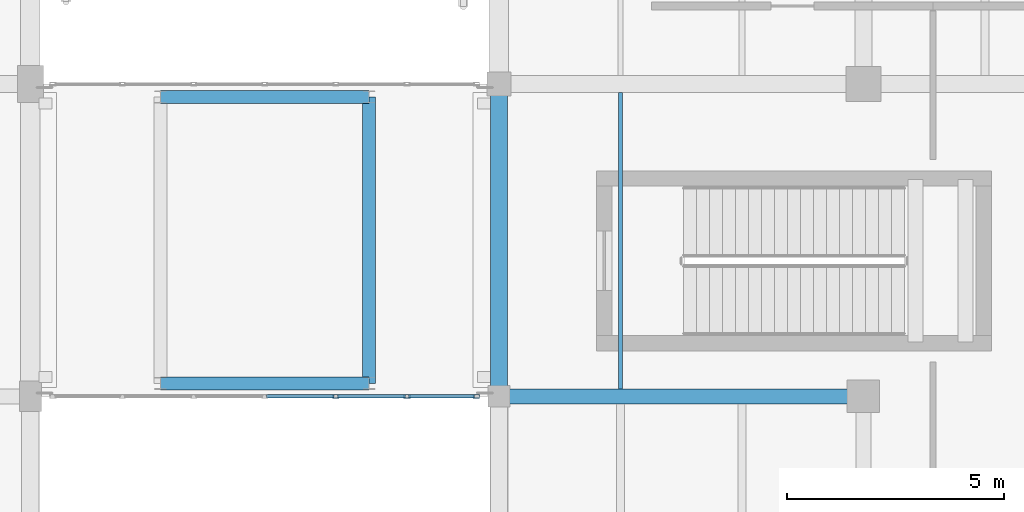
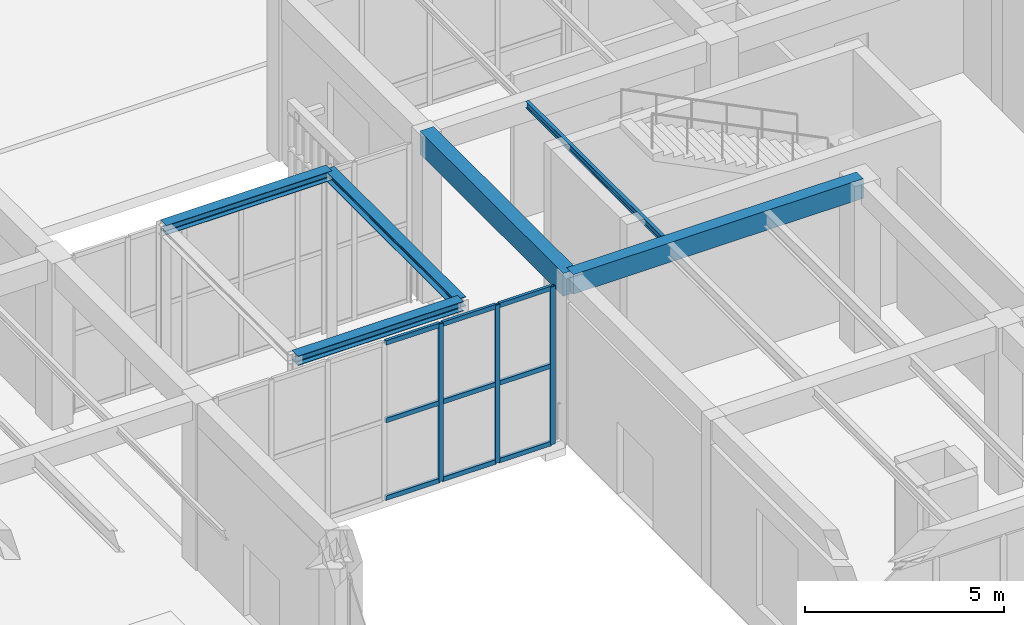
# One storey, part 24 of 169: 12 members, 6 beams, 1 element without a shape of its own.
"""IFC4 building model written with IfcOpenShell, lengths in metres."""

from ifc_helpers import new_model, si_unit, direction, frame, origin, origin_2d, place, context, subcontext, project, spatial, rectangle, hollow_rectangle, i_section, extrude, material, layer, layer_set, material_profile, profile_set, type_object, element, aggregate, save


model = new_model("IFC4")

# Units and contexts
model_context = context("Model", 3, precision=1e-05, world=origin(), true_north=direction((0.0, 1.0)))
body_context = subcontext(model_context, "Body", "Model", "MODEL_VIEW")
ifc_project = project(units=[si_unit("LENGTHUNIT", "METRE"), si_unit("AREAUNIT", "SQUARE_METRE"), si_unit("VOLUMEUNIT", "CUBIC_METRE"), si_unit("PLANEANGLEUNIT", "RADIAN"), si_unit("MASSUNIT", "GRAM", prefix="KILO")], contexts=[model_context])

# Site, building, storey
site_placement = place(None, origin())
site = spatial("IfcSite", under=ifc_project, at=site_placement, CompositionType="ELEMENT")
building_placement = place(site_placement, origin())
building = spatial("IfcBuilding", under=site, at=building_placement, Name="Mazaris Harbour Polytechnic", CompositionType="ELEMENT")
storey_placement = place(building_placement, origin())
storey = spatial("IfcBuildingStorey", under=building, at=storey_placement, Name="L00", CompositionType="ELEMENT", Elevation=0.0)

# Curtain wall, members
ifc_material_1 = material(Name="Anodised Bronze Aluminium and Low-E Glass", Category="aluminium")
ifc_layer = layer(ifc_material_1, 0.139892578125, Name="Anodised Bronze Aluminium and Low-E Glass")
ifc_layer_set = layer_set([ifc_layer], Name="Anodised Bronze Aluminium and Low-E Glass")
curtain_wall_type = type_object("IfcCurtainWallType", Name="Seismic Link Bridge Glazing", PredefinedType="NOTDEFINED", material=ifc_layer_set)
curtain_wall_placement = place(storey_placement, origin())
curtain_wall = element("IfcCurtainWall", 1, at=curtain_wall_placement, inside=storey, type_object=curtain_wall_type, Name="PB-W1 L00 Bridge Glazing", PredefinedType="NOTDEFINED")
ifc_material_2 = material(Name="Anodised Bronze Steel S355", Category="steel")
ifc_material_profile_1 = material_profile(ifc_material_2, hollow_rectangle(XDim=0.080078125, YDim=0.139892578125, WallThickness=0.00634765625, at=origin_2d()), Name="RHS 80x140x6.3")
ifc_profile_set_1 = profile_set([ifc_material_profile_1], Name="Anodised Bronze Steel S355")
member_type_1 = type_object("IfcMemberType", Name="Curtain Mullion RHS80x140", PredefinedType="MULLION", material=ifc_profile_set_1)
member_1_placement = place(storey_placement, frame((50.239990234375, 21.60009765625, 0.0), z_axis=(0.0, 0.0, 1.0), x_axis=(0.0, 1.0, 0.0)))
member_1 = element("IfcMember", 2, at=member_1_placement, type_object=member_type_1, Name="CW-05 mullion 5", PredefinedType="MULLION", context=body_context, shape_type="SweptSolid", body=[
    extrude(hollow_rectangle(XDim=0.080078125, YDim=0.139892578125, WallThickness=0.00634765625, at=origin_2d()), origin(), (0.0, 0.0, 1.0), 4.8349609375),
])
member_2_placement = place(storey_placement, frame((51.8798828125, 21.60009765625, 0.0), z_axis=(0.0, 0.0, 1.0), x_axis=(0.0, 1.0, 0.0)))
member_2 = element("IfcMember", 3, at=member_2_placement, type_object=member_type_1, Name="CW-05 mullion 6", PredefinedType="MULLION", context=body_context, shape_type="SweptSolid", body=[
    extrude(hollow_rectangle(XDim=0.080078125, YDim=0.139892578125, WallThickness=0.00634765625, at=origin_2d()), origin(), (0.0, 0.0, 1.0), 4.8349609375),
])
member_3_placement = place(storey_placement, frame((53.47998046875, 21.60009765625, 0.0), z_axis=(0.0, 0.0, 1.0), x_axis=(0.0, 1.0, 0.0)))
member_3 = element("IfcMember", 4, at=member_3_placement, type_object=member_type_1, Name="CW-05 mullion 7", PredefinedType="MULLION", context=body_context, shape_type="SweptSolid", body=[
    extrude(hollow_rectangle(XDim=0.080078125, YDim=0.139892578125, WallThickness=0.00634765625, at=origin_2d()), origin(), (0.0, 0.0, 1.0), 4.8349609375),
])
ifc_material_3 = material(Name="Anodised Bronze Steel S355", Category="steel")
ifc_material_profile_2 = material_profile(ifc_material_3, hollow_rectangle(XDim=0.080078125, YDim=0.139892578125, WallThickness=0.00634765625, at=origin_2d()), Name="RHS 80x140x6.3")
ifc_profile_set_2 = profile_set([ifc_material_profile_2], Name="Anodised Bronze Steel S355")
member_type_2 = type_object("IfcMemberType", Name="Curtain Transom RHS80x140", PredefinedType="USERDEFINED", material=ifc_profile_set_2)
member_4_placement = place(storey_placement, frame((48.639892578125, 21.60009765625, 0.0400390625), z_axis=(1.0, 0.0, 0.0), x_axis=(0.0, 1.0, 0.0)))
member_4 = element("IfcMember", 5, at=member_4_placement, type_object=member_type_2, Name="CW-05 transom 4.1", ObjectType="TRANSOM", PredefinedType="USERDEFINED", context=body_context, shape_type="SweptSolid", body=[
    extrude(hollow_rectangle(XDim=0.080078125, YDim=0.139892578125, WallThickness=0.00634765625, at=origin_2d()), origin(), (0.0, 0.0, 1.0), 1.56005859375),
])
member_5_placement = place(storey_placement, frame((48.639892578125, 21.60009765625, 2.41748046875), z_axis=(1.0, 0.0, 0.0), x_axis=(0.0, 1.0, 0.0)))
member_5 = element("IfcMember", 6, at=member_5_placement, type_object=member_type_2, Name="CW-05 transom 4.2", ObjectType="TRANSOM", PredefinedType="USERDEFINED", context=body_context, shape_type="SweptSolid", body=[
    extrude(hollow_rectangle(XDim=0.080078125, YDim=0.139892578125, WallThickness=0.00634765625, at=origin_2d()), origin(), (0.0, 0.0, 1.0), 1.56005859375),
])
member_6_placement = place(storey_placement, frame((48.639892578125, 21.60009765625, 4.794921875), z_axis=(1.0, 0.0, 0.0), x_axis=(0.0, 1.0, 0.0)))
member_6 = element("IfcMember", 7, at=member_6_placement, type_object=member_type_2, Name="CW-05 transom 4.3", ObjectType="TRANSOM", PredefinedType="USERDEFINED", context=body_context, shape_type="SweptSolid", body=[
    extrude(hollow_rectangle(XDim=0.080078125, YDim=0.139892578125, WallThickness=0.00634765625, at=origin_2d()), origin(), (0.0, 0.0, 1.0), 1.56005859375),
])
member_7_placement = place(storey_placement, frame((50.280029296875, 21.60009765625, 0.0400390625), z_axis=(1.0, 0.0, 0.0), x_axis=(0.0, 1.0, 0.0)))
member_7 = element("IfcMember", 8, at=member_7_placement, type_object=member_type_2, Name="CW-05 transom 5.1", ObjectType="TRANSOM", PredefinedType="USERDEFINED", context=body_context, shape_type="SweptSolid", body=[
    extrude(hollow_rectangle(XDim=0.080078125, YDim=0.139892578125, WallThickness=0.00634765625, at=origin_2d()), origin(), (0.0, 0.0, 1.0), 1.56005859375),
])
member_8_placement = place(storey_placement, frame((50.280029296875, 21.60009765625, 2.41748046875), z_axis=(1.0, 0.0, 0.0), x_axis=(0.0, 1.0, 0.0)))
member_8 = element("IfcMember", 9, at=member_8_placement, type_object=member_type_2, Name="CW-05 transom 5.2", ObjectType="TRANSOM", PredefinedType="USERDEFINED", context=body_context, shape_type="SweptSolid", body=[
    extrude(hollow_rectangle(XDim=0.080078125, YDim=0.139892578125, WallThickness=0.00634765625, at=origin_2d()), origin(), (0.0, 0.0, 1.0), 1.56005859375),
])
member_9_placement = place(storey_placement, frame((50.280029296875, 21.60009765625, 4.794921875), z_axis=(1.0, 0.0, 0.0), x_axis=(0.0, 1.0, 0.0)))
member_9 = element("IfcMember", 10, at=member_9_placement, type_object=member_type_2, Name="CW-05 transom 5.3", ObjectType="TRANSOM", PredefinedType="USERDEFINED", context=body_context, shape_type="SweptSolid", body=[
    extrude(hollow_rectangle(XDim=0.080078125, YDim=0.139892578125, WallThickness=0.00634765625, at=origin_2d()), origin(), (0.0, 0.0, 1.0), 1.56005859375),
])
member_10_placement = place(storey_placement, frame((51.919921875, 21.60009765625, 0.0400390625), z_axis=(1.0, 0.0, 0.0), x_axis=(0.0, 1.0, 0.0)))
member_10 = element("IfcMember", 11, at=member_10_placement, type_object=member_type_2, Name="CW-05 transom 6.1", ObjectType="TRANSOM", PredefinedType="USERDEFINED", context=body_context, shape_type="SweptSolid", body=[
    extrude(hollow_rectangle(XDim=0.080078125, YDim=0.139892578125, WallThickness=0.00634765625, at=origin_2d()), origin(), (0.0, 0.0, 1.0), 1.52001953125),
])
member_11_placement = place(storey_placement, frame((51.919921875, 21.60009765625, 2.41748046875), z_axis=(1.0, 0.0, 0.0), x_axis=(0.0, 1.0, 0.0)))
member_11 = element("IfcMember", 12, at=member_11_placement, type_object=member_type_2, Name="CW-05 transom 6.2", ObjectType="TRANSOM", PredefinedType="USERDEFINED", context=body_context, shape_type="SweptSolid", body=[
    extrude(hollow_rectangle(XDim=0.080078125, YDim=0.139892578125, WallThickness=0.00634765625, at=origin_2d()), origin(), (0.0, 0.0, 1.0), 1.52001953125),
])
member_12_placement = place(storey_placement, frame((51.919921875, 21.60009765625, 4.794921875), z_axis=(1.0, 0.0, 0.0), x_axis=(0.0, 1.0, 0.0)))
member_12 = element("IfcMember", 13, at=member_12_placement, type_object=member_type_2, Name="CW-05 transom 6.3", ObjectType="TRANSOM", PredefinedType="USERDEFINED", context=body_context, shape_type="SweptSolid", body=[
    extrude(hollow_rectangle(XDim=0.080078125, YDim=0.139892578125, WallThickness=0.00634765625, at=origin_2d()), origin(), (0.0, 0.0, 1.0), 1.52001953125),
])
aggregate(curtain_wall, [member_1, member_2, member_3, member_4, member_5, member_6, member_7, member_8, member_9, member_10, member_11, member_12])

# Beams
ifc_material_4 = material(Name="Concrete C35/45", Category="concrete")
ifc_material_profile_3 = material_profile(ifc_material_4, rectangle(XDim=0.35009765625, YDim=0.60009765625, at=origin_2d()), Name="RECT350x600")
ifc_profile_set_3 = profile_set([ifc_material_profile_3], Name="Concrete C35/45")
beam_type_1 = type_object("IfcBeamType", Name="RC Girder 350x600", PredefinedType="BEAM", material=ifc_profile_set_3)
beam_1_placement = place(storey_placement, frame((54.0, 21.60009765625, 4.800048828125), z_axis=(1.0, 0.0, 0.0), x_axis=(0.0, 1.0, 0.0)))
element("IfcBeam", 14, at=beam_1_placement, inside=storey, type_object=beam_type_1, Name="V3 L00 Girder 870", PredefinedType="BEAM", context=body_context, shape_type="SweptSolid", body=[
    extrude(rectangle(XDim=0.35009765625, YDim=0.60009765625, at=origin_2d()), origin(), (0.0, 0.0, 1.0), 8.39990234375),
])
ifc_material_5 = material(Name="Concrete C35/45", Category="concrete")
ifc_material_profile_4 = material_profile(ifc_material_5, rectangle(XDim=0.39990234375, YDim=0.699951171875, at=origin_2d()), Name="RECT400x700")
ifc_profile_set_4 = profile_set([ifc_material_profile_4], Name="Concrete C35/45")
beam_type_2 = type_object("IfcBeamType", Name="RC Girder 400x700 Exterior", PredefinedType="BEAM", material=ifc_profile_set_4)
beam_2_placement = place(storey_placement, frame((54.0, 21.60009765625, 4.75), z_axis=(0.0, 1.0, 0.0), x_axis=(-1.0, 0.0, 0.0)))
element("IfcBeam", 15, at=beam_2_placement, inside=storey, type_object=beam_type_2, Name="V3 L00 Tie Girder 892", PredefinedType="BEAM", context=body_context, shape_type="SweptSolid", body=[
    extrude(rectangle(XDim=0.39990234375, YDim=0.699951171875, at=origin_2d()), origin(), (0.0, 0.0, 1.0), 7.199951171875),
])
ifc_material_6 = material(Name="Steel S355", Category="steel")
ifc_material_profile_5 = material_profile(ifc_material_6, i_section(OverallWidth=0.300048828125, OverallDepth=0.2900390625, WebThickness=0.008544921875, FlangeThickness=0.013916015625, FilletRadius=0.027099609375, at=origin_2d()), Name="HEA 300")
ifc_profile_set_5 = profile_set([ifc_material_profile_5], Name="Steel S355")
beam_type_3 = type_object("IfcBeamType", Name="Steel Beam HEA300 Exterior", PredefinedType="SPANDREL", material=ifc_profile_set_5)
beam_3_placement = place(storey_placement, frame((46.199951171875, 21.89990234375, 4.989990234375), z_axis=(1.0, 0.0, 0.0), x_axis=(0.0, 1.0, 0.0)))
element("IfcBeam", 16, at=beam_3_placement, inside=storey, type_object=beam_type_3, Name="PB-W1 L00 Bridge Beam 3403", PredefinedType="SPANDREL", context=body_context, shape_type="SweptSolid", body=[
    extrude(i_section(OverallWidth=0.300048828125, OverallDepth=0.2900390625, WebThickness=0.008544921875, FlangeThickness=0.013916015625, FilletRadius=0.027099609375, at=origin_2d()), origin(), (0.0, 0.0, 1.0), 4.800048828125),
])
beam_4_placement = place(storey_placement, frame((51.0, 21.89990234375, 4.989990234375), z_axis=(0.0, 1.0, 0.0), x_axis=(-1.0, 0.0, 0.0)))
element("IfcBeam", 17, at=beam_4_placement, inside=storey, type_object=beam_type_3, Name="PB-W1 L00 Bridge Beam 3405", PredefinedType="SPANDREL", context=body_context, shape_type="SweptSolid", body=[
    extrude(i_section(OverallWidth=0.300048828125, OverallDepth=0.2900390625, WebThickness=0.008544921875, FlangeThickness=0.013916015625, FilletRadius=0.027099609375, at=origin_2d()), origin(), (0.0, 0.0, 1.0), 6.60009765625),
])
beam_5_placement = place(storey_placement, frame((46.199951171875, 28.5, 4.989990234375), z_axis=(1.0, 0.0, 0.0), x_axis=(0.0, 1.0, 0.0)))
element("IfcBeam", 18, at=beam_5_placement, inside=storey, type_object=beam_type_3, Name="PB-W1 L00 Bridge Beam 3406", PredefinedType="SPANDREL", context=body_context, shape_type="SweptSolid", body=[
    extrude(i_section(OverallWidth=0.300048828125, OverallDepth=0.2900390625, WebThickness=0.008544921875, FlangeThickness=0.013916015625, FilletRadius=0.027099609375, at=origin_2d()), origin(), (0.0, 0.0, 1.0), 4.800048828125),
])
ifc_material_7 = material(Name="Steel S355", Category="steel")
ifc_material_profile_6 = material_profile(ifc_material_7, i_section(OverallWidth=0.10009765625, OverallDepth=0.199951171875, WebThickness=0.005615234375, FlangeThickness=0.008544921875, FilletRadius=0.011962890625, at=origin_2d()), Name="IPE 200")
ifc_profile_set_6 = profile_set([ifc_material_profile_6], Name="Steel S355")
beam_type_4 = type_object("IfcBeamType", Name="Steel Joist IPE200", PredefinedType="JOIST", material=ifc_profile_set_6)
beam_6_placement = place(storey_placement, frame((56.800048828125, 21.77490234375, 5.0), z_axis=(0.0, 1.0, 0.0), x_axis=(-1.0, 0.0, 0.0)))
element("IfcBeam", 19, at=beam_6_placement, inside=storey, type_object=beam_type_4, Name="V3 L00 Floor Joist 924", PredefinedType="JOIST", context=body_context, shape_type="SweptSolid", body=[
    extrude(i_section(OverallWidth=0.10009765625, OverallDepth=0.199951171875, WebThickness=0.005615234375, FlangeThickness=0.008544921875, FilletRadius=0.011962890625, at=origin_2d()), origin(), (0.0, 0.0, 1.0), 6.8251953125),
])

save(model, "model.ifc")
